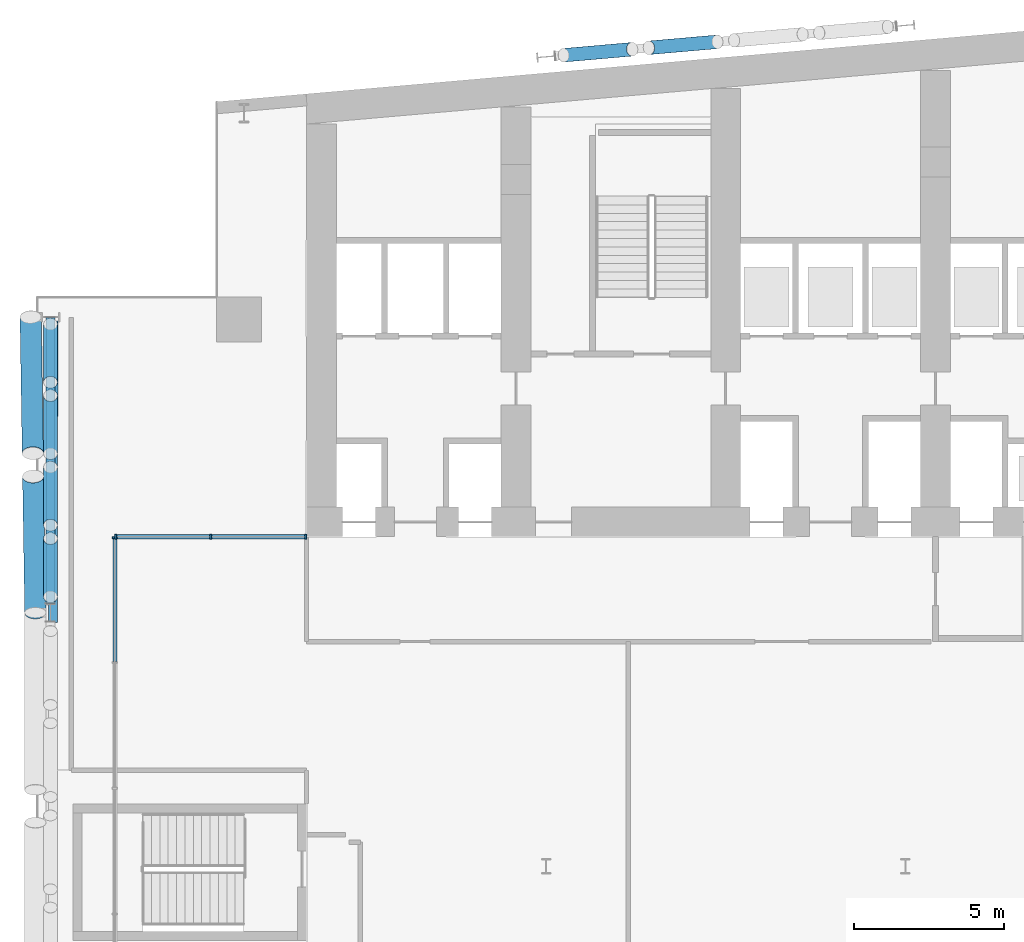
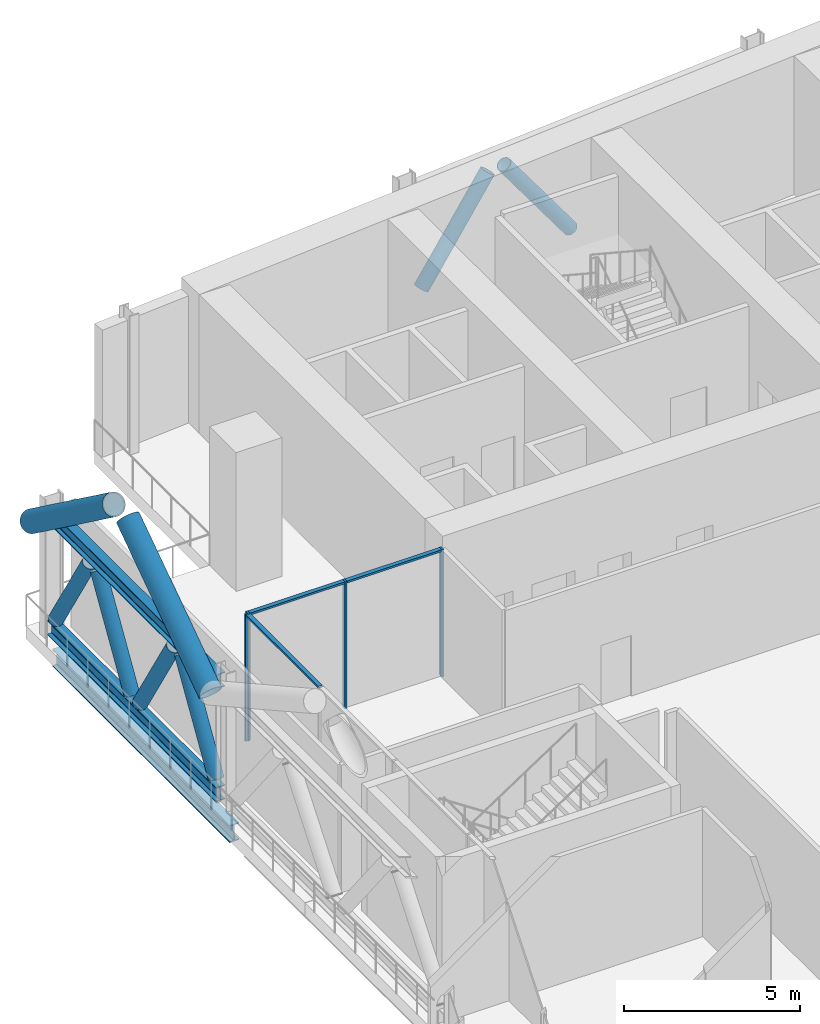
# One storey, part 9 of 42: 17 members, 1 beam, 2 elements without a shape of their own.
"""IFC4 building model written with IfcOpenShell, lengths in metres."""

from ifc_helpers import new_model, si_unit, direction, frame, origin, origin_2d, place, context, subcontext, project, spatial, rectangle, hollow_circle, i_section, extrude, material, material_profile, profile_set, type_object, element, aggregate, save


model = new_model("IFC4")

# Units and contexts
model_context = context("Model", 3, precision=1e-05, world=origin(), true_north=direction((0.0, 1.0)))
body_context = subcontext(model_context, "Body", "Model", "MODEL_VIEW")
ifc_project = project(units=[si_unit("LENGTHUNIT", "METRE"), si_unit("AREAUNIT", "SQUARE_METRE"), si_unit("VOLUMEUNIT", "CUBIC_METRE"), si_unit("PLANEANGLEUNIT", "RADIAN"), si_unit("MASSUNIT", "GRAM", prefix="KILO")], contexts=[model_context])

# Site, building, storey
site_placement = place(None, origin())
site = spatial("IfcSite", under=ifc_project, at=site_placement, CompositionType="ELEMENT")
building_placement = place(site_placement, origin())
building = spatial("IfcBuilding", under=site, at=building_placement, Name="Wharfspan Tower", CompositionType="ELEMENT")
storey_placement = place(building_placement, frame((0.0, 0.0, 147.100098)))
storey = spatial("IfcBuildingStorey", under=building, at=storey_placement, Name="L35", CompositionType="ELEMENT", Elevation=147.100098)

# Beam
ifc_material_1 = material(Name="Steel S355J2", Category="steel")
ifc_material_profile_1 = material_profile(ifc_material_1, i_section(OverallWidth=0.300049, OverallDepth=0.600098, WebThickness=0.015381, FlangeThickness=0.030029, FilletRadius=0.0271, at=origin_2d()))
ifc_profile_set_1 = profile_set([ifc_material_profile_1], Name="Steel S355J2")
beam_type = type_object("IfcBeamType", Name="Edge beam HEB 600", PredefinedType="SPANDREL", material=ifc_profile_set_1)
beam_placement = place(storey_placement, frame((7.544434, 41.201416, -0.75), z_axis=(-0.000412, -1.0, 0.0), x_axis=(1.0, -0.000412, 0.0)))
element("IfcBeam", 1, at=beam_placement, inside=storey, type_object=beam_type, Name="Edge beam W L35 PNRW-H.1 to PW.1", PredefinedType="SPANDREL", context=body_context, shape_type="SweptSolid", body=[
    extrude(i_section(OverallWidth=0.300049, OverallDepth=0.600098, WebThickness=0.015381, FlangeThickness=0.030029, FilletRadius=0.0271, at=origin_2d()), origin(), (0.0, 0.0, 1.0), 10.065186),
])

# Curtain wall, member
ifc_material_2 = material(Name="Aluminium 6063-T6", Category="aluminium")
curtain_wall_type = type_object("IfcCurtainWallType", Name="CURTAIN WALL BAND RECESS", PredefinedType="NOTDEFINED", material=ifc_material_2)
curtain_wall_1_placement = place(storey_placement, origin())
curtain_wall_1 = element("IfcCurtainWall", 2, at=curtain_wall_1_placement, inside=storey, type_object=curtain_wall_type, Name="Recess glazing R2", PredefinedType="NOTDEFINED")
ifc_material_profile_2 = material_profile(ifc_material_2, rectangle(XDim=0.159912, YDim=0.060059, at=origin_2d()))
ifc_profile_set_2 = profile_set([ifc_material_profile_2], Name="Aluminium 6063-T6")
member_type_1 = type_object("IfcMemberType", Name="MULLION BAND RECESS 60x160", PredefinedType="MULLION", material=ifc_profile_set_2)
member_1_placement = place(storey_placement, frame((9.600098, 33.969971, 0.0), z_axis=(0.0, 0.0, 1.0), x_axis=(-1.0, 0.0, 0.0)))
member_1 = element("IfcMember", 3, at=member_1_placement, type_object=member_type_1, Name="Recess glazing R2 mullion 6", PredefinedType="MULLION", context=body_context, shape_type="SweptSolid", body=[
    extrude(rectangle(XDim=0.159912, YDim=0.060059, at=origin_2d()), origin(), (0.0, 0.0, 1.0), 4.399902),
])

# Curtain wall, members
curtain_wall_2_placement = place(storey_placement, origin())
curtain_wall_2 = element("IfcCurtainWall", 4, at=curtain_wall_2_placement, inside=storey, type_object=curtain_wall_type, Name="Recess glazing R3", PredefinedType="NOTDEFINED")
member_2_placement = place(storey_placement, frame((9.629883, 34.0, 0.0), z_axis=(0.0, 0.0, 1.0), x_axis=(0.0, 1.0, 0.0)))
member_2 = element("IfcMember", 5, at=member_2_placement, type_object=member_type_1, Name="Recess glazing R3 mullion 1", PredefinedType="MULLION", context=body_context, shape_type="SweptSolid", body=[
    extrude(rectangle(XDim=0.159912, YDim=0.060059, at=origin_2d()), origin(), (0.0, 0.0, 1.0), 4.399902),
])
member_3_placement = place(storey_placement, frame((12.800049, 34.0, 0.0), z_axis=(0.0, 0.0, 1.0), x_axis=(0.0, 1.0, 0.0)))
member_3 = element("IfcMember", 6, at=member_3_placement, type_object=member_type_1, Name="Recess glazing R3 mullion 2", PredefinedType="MULLION", context=body_context, shape_type="SweptSolid", body=[
    extrude(rectangle(XDim=0.159912, YDim=0.060059, at=origin_2d()), origin(), (0.0, 0.0, 1.0), 4.399902),
])
member_4_placement = place(storey_placement, frame((15.969971, 34.0, 0.0), z_axis=(0.0, 0.0, 1.0), x_axis=(0.0, 1.0, 0.0)))
member_4 = element("IfcMember", 7, at=member_4_placement, type_object=member_type_1, Name="Recess glazing R3 mullion 3", PredefinedType="MULLION", context=body_context, shape_type="SweptSolid", body=[
    extrude(rectangle(XDim=0.159912, YDim=0.060059, at=origin_2d()), origin(), (0.0, 0.0, 1.0), 4.399902),
])

# Members
ifc_material_3 = material(Name="Steel S460NH", Category="steel")
ifc_material_profile_3 = material_profile(ifc_material_3, hollow_circle(Radius=0.355469, WallThickness=0.035889, at=origin_2d()))
ifc_profile_set_3 = profile_set([ifc_material_profile_3], Name="Steel S460NH")
member_type_2 = type_object("IfcMemberType", Name="Mega brace CHS 711x36", PredefinedType="BRACE", material=ifc_profile_set_3)
for number, where, z_axis, x_axis, name in (
    (8, (6.788086, 41.333008, 4.099854), (0.01285, -0.807696, 0.589459), (0.999875, 0.015906, -2e-06), "Mega brace W4 L36 part 1"),
    (9, (6.945068, 31.466553, 4.099854), (-0.01285, 0.807711, 0.589439), (-0.999876, -0.015905, -3e-06), "Mega brace W4 L36 part 3"),
):
    element("IfcMember", number, at=place(storey_placement, frame(where, z_axis=z_axis, x_axis=x_axis)), inside=storey, type_object=member_type_2, Name=name, PredefinedType="BRACE", context=body_context, shape_type="SweptSolid", body=[
        extrude(hollow_circle(Radius=0.355469, WallThickness=0.035889, at=origin_2d()), origin(), (0.0, 0.0, 1.0), 5.623779),
    ])

# Member
ifc_material_profile_4 = material_profile(ifc_material_2, rectangle(XDim=0.139893, YDim=0.070068, at=origin_2d()))
ifc_profile_set_4 = profile_set([ifc_material_profile_4], Name="Aluminium 6063-T6")
member_type_3 = type_object("IfcMemberType", Name="TRANSOM BAND RECESS 70x140", PredefinedType="USERDEFINED", material=ifc_profile_set_4)
member_5_placement = place(storey_placement, frame((9.600098, 29.830078, 4.36499), z_axis=(0.0, 1.0, 0.0), x_axis=(-1.0, 0.0, 0.0)))
member_5 = element("IfcMember", 10, at=member_5_placement, type_object=member_type_3, Name="Recess glazing R2 transom 5", ObjectType="TRANSOM", PredefinedType="USERDEFINED", context=body_context, shape_type="SweptSolid", body=[
    extrude(rectangle(XDim=0.139893, YDim=0.070068, at=origin_2d()), origin(), (0.0, 0.0, 1.0), 4.109863),
])

aggregate(curtain_wall_1, [member_1, member_5])

member_6_placement = place(storey_placement, frame((9.659912, 34.0, 4.36499), z_axis=(1.0, 0.0, 0.0), x_axis=(0.0, 1.0, 0.0)))
member_6 = element("IfcMember", 11, at=member_6_placement, type_object=member_type_3, Name="Recess glazing R3 transom 1", ObjectType="TRANSOM", PredefinedType="USERDEFINED", context=body_context, shape_type="SweptSolid", body=[
    extrude(rectangle(XDim=0.139893, YDim=0.070068, at=origin_2d()), origin(), (0.0, 0.0, 1.0), 3.110107),
])

member_7_placement = place(storey_placement, frame((12.830078, 34.0, 4.36499), z_axis=(1.0, 0.0, 0.0), x_axis=(0.0, 1.0, 0.0)))
member_7 = element("IfcMember", 12, at=member_7_placement, type_object=member_type_3, Name="Recess glazing R3 transom 2", ObjectType="TRANSOM", PredefinedType="USERDEFINED", context=body_context, shape_type="SweptSolid", body=[
    extrude(rectangle(XDim=0.139893, YDim=0.070068, at=origin_2d()), origin(), (0.0, 0.0, 1.0), 3.109863),
])

aggregate(curtain_wall_2, [member_2, member_3, member_4, member_6, member_7])

# Members
ifc_material_profile_5 = material_profile(ifc_material_1, i_section(OverallWidth=0.300049, OverallDepth=0.5, WebThickness=0.014404, FlangeThickness=0.028076, FilletRadius=0.0271, at=origin_2d()))
ifc_profile_set_5 = profile_set([ifc_material_profile_5], Name="Steel S355J2")
member_type_4 = type_object("IfcMemberType", Name="Truss chord HEB 500", PredefinedType="CHORD", material=ifc_profile_set_5)
for number, where, z_axis, x_axis, name in (
    (13, (7.450439, 41.32251, 4.149902), (-5.1e-05, -1.0, 0.0), (1.0, -5.1e-05, 0.0), "Belt truss chord T L35 W PNRW-H.1 to PW.1"),
    (14, (7.450439, 41.32251, 0.25), (-5.1e-05, -1.0, 0.0), (1.0, -5.1e-05, 0.0), "Belt truss chord B L35 W PNRW-H.1 to PW.1"),
):
    element("IfcMember", number, at=place(storey_placement, frame(where, z_axis=z_axis, x_axis=x_axis)), inside=storey, type_object=member_type_4, Name=name, PredefinedType="CHORD", context=body_context, shape_type="SweptSolid", body=[
        extrude(i_section(OverallWidth=0.300049, OverallDepth=0.5, WebThickness=0.014404, FlangeThickness=0.028076, FilletRadius=0.0271, at=origin_2d()), origin(), (0.0, 0.0, 1.0), 9.545898),
    ])
ifc_material_profile_6 = material_profile(ifc_material_3, hollow_circle(Radius=0.228516, WallThickness=0.016113, at=origin_2d()))
ifc_profile_set_6 = profile_set([ifc_material_profile_6], Name="Steel S460NH")
member_type_5 = type_object("IfcMemberType", Name="Truss diagonal CHS 457x16", PredefinedType="BRACE", material=ifc_profile_set_6)
for number, where, z_axis, x_axis, name in (
    (15, (29.718994, 50.527588, 0.63501), (-0.588641, -0.051476, 0.806754), (0.087114, -0.996202, -2e-06), "Belt truss diagonal L35 N1 R.2 to R.1 3"),
    (16, (26.873535, 50.278809, 3.764893), (-0.588639, -0.051539, -0.806751), (0.087224, -0.99619, -1e-06), "Belt truss diagonal L35 N1 R.2 to R.1 4"),
):
    element("IfcMember", number, at=place(storey_placement, frame(where, z_axis=z_axis, x_axis=x_axis)), inside=storey, type_object=member_type_5, Name=name, PredefinedType="BRACE", context=body_context, shape_type="SweptSolid", body=[
        extrude(hollow_circle(Radius=0.228516, WallThickness=0.016113, at=origin_2d()), origin(), (0.0, 0.0, 1.0), 3.879639),
    ])
for number, where, z_axis, x_axis, name in (
    (17, (7.450439, 41.09668, 0.619141), (0.0, -0.521964, 0.852967), (1.0, 0.0, 0.0), "Belt truss diagonal L35 W PNRW-H.1 to PW.1 1"),
    (18, (7.450439, 38.710205, 3.780518), (-6.6e-05, -0.521964, -0.852967), (0.999998, -0.000128, 1e-06), "Belt truss diagonal L35 W PNRW-H.1 to PW.1 2"),
    (19, (7.450195, 36.32373, 0.619141), (0.0, -0.521964, 0.852967), (1.0, 0.0, 0.0), "Belt truss diagonal L35 W PNRW-H.1 to PW.1 3"),
    (20, (7.450195, 33.937256, 3.780518), (-6.6e-05, -0.521964, -0.852967), (0.999998, -0.000128, 1e-06), "Belt truss diagonal L35 W PNRW-H.1 to PW.1 4"),
):
    element("IfcMember", number, at=place(storey_placement, frame(where, z_axis=z_axis, x_axis=x_axis)), inside=storey, type_object=member_type_5, Name=name, PredefinedType="BRACE", context=body_context, shape_type="SweptSolid", body=[
        extrude(hollow_circle(Radius=0.228516, WallThickness=0.016113, at=origin_2d()), origin(), (0.0, 0.0, 1.0), 3.706299),
    ])

save(model, "model.ifc")
